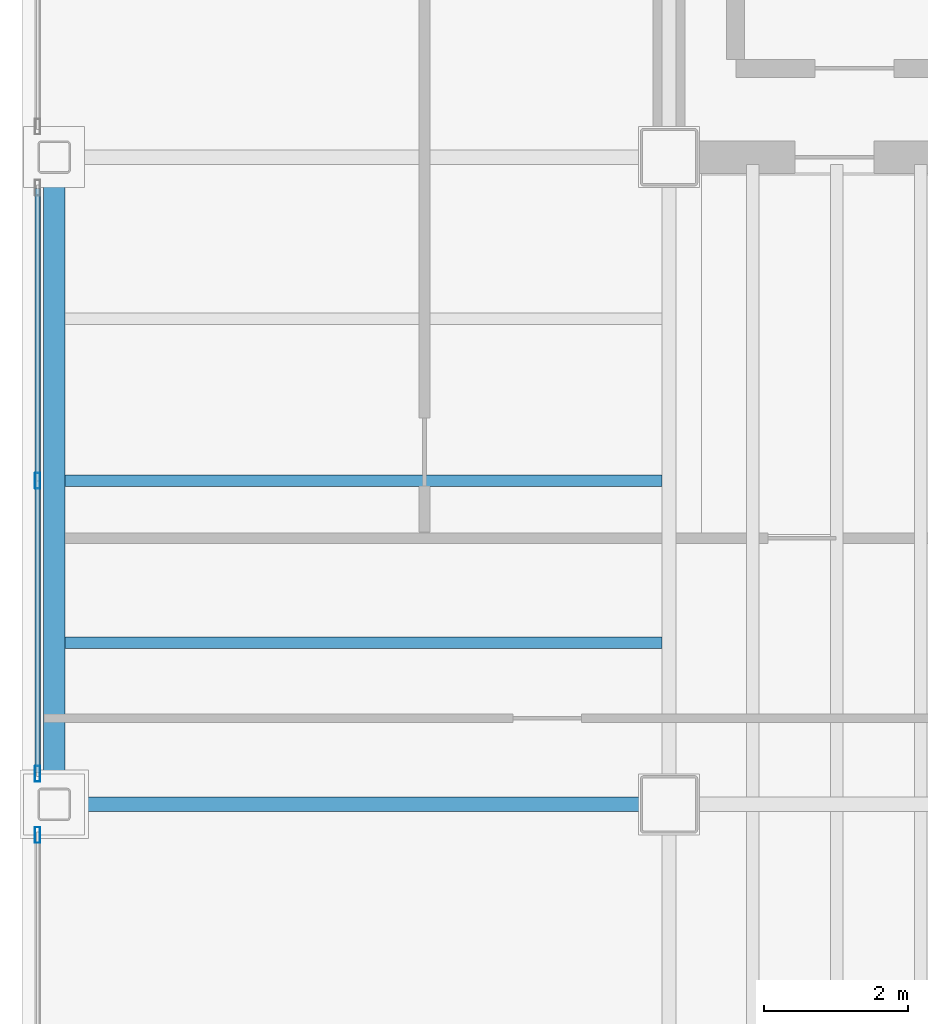
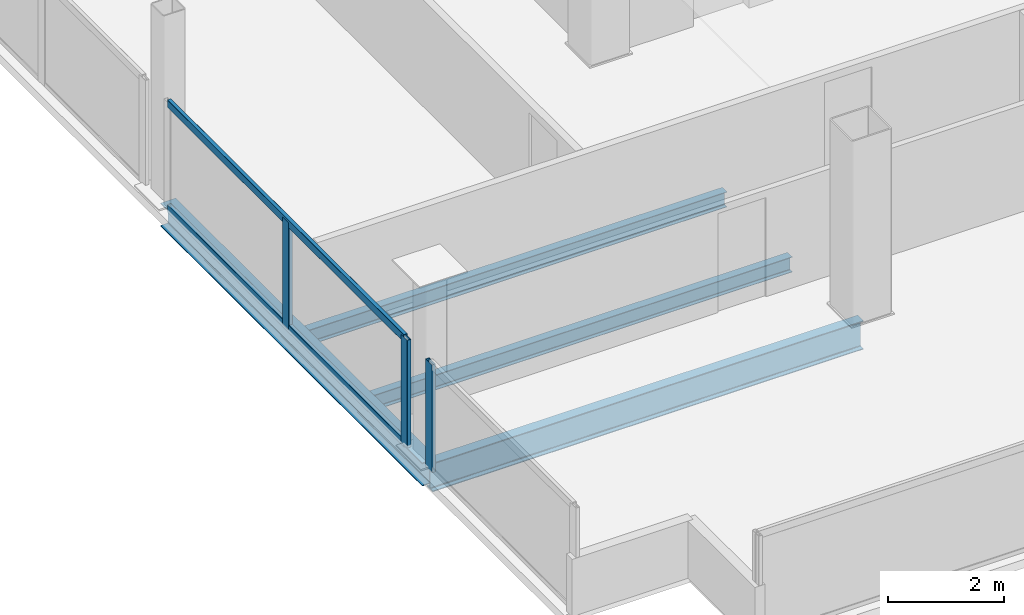
# One storey, part 4 of 16: 5 members, 4 beams, 2 elements without a shape of their own.
"""IFC4 building model written with IfcOpenShell, lengths in metres."""

from ifc_helpers import new_model, si_unit, direction, frame, origin, origin_2d, place, context, subcontext, project, spatial, hollow_rectangle, i_section, extrude, material, material_profile, profile_set, type_object, element, aggregate, save


model = new_model("IFC4")

# Units and contexts
model_context = context("Model", 3, precision=1e-05, world=origin(), true_north=direction((0.0, 1.0)))
body_context = subcontext(model_context, "Body", "Model", "MODEL_VIEW")
ifc_project = project(units=[si_unit("LENGTHUNIT", "METRE"), si_unit("AREAUNIT", "SQUARE_METRE"), si_unit("VOLUMEUNIT", "CUBIC_METRE"), si_unit("PLANEANGLEUNIT", "RADIAN"), si_unit("MASSUNIT", "GRAM", prefix="KILO")], contexts=[model_context])

# Site, building, storey
site_placement = place(None, origin())
site = spatial("IfcSite", under=ifc_project, at=site_placement, CompositionType="ELEMENT")
building_placement = place(site_placement, origin())
building = spatial("IfcBuilding", under=site, at=building_placement, Name="Noeulbin Bourse Tower", CompositionType="ELEMENT")
storey_placement = place(building_placement, frame((0.0, 0.0, 254.0)))
storey = spatial("IfcBuildingStorey", under=building, at=storey_placement, Name="L63", CompositionType="ELEMENT", Elevation=254.0)

# Beams
ifc_material_1 = material(Name="Steel S355", Category="steel")
ifc_material_profile_1 = material_profile(ifc_material_1, i_section(OverallWidth=0.199951171875, OverallDepth=0.60009765625, WebThickness=0.010986328125, FlangeThickness=0.01708984375, FilletRadius=0.02197265625, at=origin_2d()), Name="H-600x200x11x17", Category="LoadBearing")
ifc_profile_set_1 = profile_set([ifc_material_profile_1], Name="Steel S355")
beam_type_1 = type_object("IfcBeamType", Name="BM-GRD-600", PredefinedType="USERDEFINED", material=ifc_profile_set_1)
beam_1_placement = place(storey_placement, frame((4.949951171875, 20.0, -0.47998046875), z_axis=(1.0, 0.0, 0.0), x_axis=(0.0, 1.0, 0.0)))
element("IfcBeam", 1, at=beam_1_placement, inside=storey, type_object=beam_type_1, Name="Tower Primary Girder EW L63-1.1", ObjectType="GIRDER", PredefinedType="USERDEFINED", context=body_context, shape_type="SweptSolid", body=[
    extrude(i_section(OverallWidth=0.199951171875, OverallDepth=0.60009765625, WebThickness=0.010986328125, FlangeThickness=0.01708984375, FilletRadius=0.02197265625, at=origin_2d()), origin(), (0.0, 0.0, 1.0), 8.550048828125),
])
ifc_material_profile_2 = material_profile(ifc_material_1, i_section(OverallWidth=0.159912109375, OverallDepth=0.320068359375, WebThickness=0.006591796875, FlangeThickness=0.010009765625, FilletRadius=0.012939453125, at=origin_2d()), Name="H-320x160x6.5x10", Category="LoadBearing")
ifc_profile_set_2 = profile_set([ifc_material_profile_2], Name="Steel S355")
beam_type_2 = type_object("IfcBeamType", Name="BM-JST-320", PredefinedType="JOIST", material=ifc_profile_set_2)
for number, where, z_axis, x_axis, name in (
    (2, (5.10009765625, 22.25, -0.340087890625), (1.0, 0.0, 0.0), (0.0, 1.0, 0.0), "Wing Composite Joist L63-W37"),
    (3, (5.10009765625, 24.5, -0.340087890625), (1.0, 0.0, 0.0), (0.0, 1.0, 0.0), "Wing Composite Joist L63-W38"),
):
    element("IfcBeam", number, at=place(storey_placement, frame(where, z_axis=z_axis, x_axis=x_axis)), inside=storey, type_object=beam_type_2, Name=name, PredefinedType="JOIST", context=body_context, shape_type="SweptSolid", body=[
        extrude(i_section(OverallWidth=0.159912109375, OverallDepth=0.320068359375, WebThickness=0.006591796875, FlangeThickness=0.010009765625, FilletRadius=0.012939453125, at=origin_2d()), origin(), (0.0, 0.0, 1.0), 8.2998046875),
    ])
ifc_material_profile_3 = material_profile(ifc_material_1, i_section(OverallWidth=0.300048828125, OverallDepth=0.488037109375, WebThickness=0.010986328125, FlangeThickness=0.01806640625, FilletRadius=0.02197265625, at=origin_2d()), Name="H-488x300x11x18", Category="LoadBearing")
ifc_profile_set_3 = profile_set([ifc_material_profile_3], Name="Steel S355")
beam_type_3 = type_object("IfcBeamType", Name="BM-SPN-488", PredefinedType="SPANDREL", material=ifc_profile_set_3)
beam_2_placement = place(storey_placement, frame((4.949951171875, 20.0, -0.424072265625), z_axis=(0.0, 1.0, 0.0), x_axis=(-1.0, 0.0, 0.0)))
element("IfcBeam", 4, at=beam_2_placement, inside=storey, type_object=beam_type_3, Name="West Spandrel L63-1", PredefinedType="SPANDREL", context=body_context, shape_type="SweptSolid", body=[
    extrude(i_section(OverallWidth=0.300048828125, OverallDepth=0.488037109375, WebThickness=0.010986328125, FlangeThickness=0.01806640625, FilletRadius=0.02197265625, at=origin_2d()), origin(), (0.0, 0.0, 1.0), 9.0),
])

# Curtain wall, member
ifc_material_2 = material(Name="High-Selectivity Low-Iron Glazing", Category="glass")
curtain_wall_type = type_object("IfcCurtainWallType", Name="CW-SYS-4", PredefinedType="NOTDEFINED", material=ifc_material_2)
curtain_wall_1_placement = place(storey_placement, origin())
curtain_wall_1 = element("IfcCurtainWall", 5, at=curtain_wall_1_placement, inside=storey, type_object=curtain_wall_type, Name="Unitised Curtain Wall CW-L63-W-S1", PredefinedType="NOTDEFINED")
ifc_material_3 = material(Name="Anodised Aluminium 6063-T6", Category="aluminium")
ifc_material_profile_4 = material_profile(ifc_material_3, hollow_rectangle(XDim=0.074951171875, YDim=0.219970703125, WallThickness=0.0048828125, InnerFilletRadius=0.00244140625, OuterFilletRadius=0.0048828125, at=origin_2d()), Name="ALU-MULL-75x220x5", Category="LoadBearing")
ifc_profile_set_4 = profile_set([ifc_material_profile_4], Name="Anodised Aluminium 6063-T6")
member_type_1 = type_object("IfcMemberType", Name="CW-SYS-4-MUL", PredefinedType="MULLION", material=ifc_profile_set_4)
member_1_placement = place(storey_placement, frame((4.719970703125, 19.574951171875, -0.02001953125), z_axis=(0.0, 0.0, 1.0), x_axis=(1.0, 0.0, 0.0)))
member_1 = element("IfcMember", 6, at=member_1_placement, type_object=member_type_1, Name="Curtain Wall Mullion CW-L63-W-S1-M01", PredefinedType="MULLION", context=body_context, shape_type="SweptSolid", body=[
    extrude(hollow_rectangle(XDim=0.074951171875, YDim=0.219970703125, WallThickness=0.0048828125, InnerFilletRadius=0.00244140625, OuterFilletRadius=0.0048828125, at=origin_2d()), origin(), (0.0, 0.0, 1.0), 2.260009765625),
])
aggregate(curtain_wall_1, [member_1])

# Curtain wall, members
curtain_wall_2_placement = place(storey_placement, origin())
curtain_wall_2 = element("IfcCurtainWall", 7, at=curtain_wall_2_placement, inside=storey, type_object=curtain_wall_type, Name="Unitised Curtain Wall CW-L63-W-S2", PredefinedType="NOTDEFINED")
member_2_placement = place(storey_placement, frame((4.719970703125, 20.425048828125, -0.02001953125), z_axis=(0.0, 0.0, 1.0), x_axis=(1.0, 0.0, 0.0)))
member_2 = element("IfcMember", 8, at=member_2_placement, type_object=member_type_1, Name="Curtain Wall Mullion CW-L63-W-S2-M00", PredefinedType="MULLION", context=body_context, shape_type="SweptSolid", body=[
    extrude(hollow_rectangle(XDim=0.074951171875, YDim=0.219970703125, WallThickness=0.0048828125, InnerFilletRadius=0.00244140625, OuterFilletRadius=0.0048828125, at=origin_2d()), origin(), (0.0, 0.0, 1.0), 2.260009765625),
])
member_3_placement = place(storey_placement, frame((4.719970703125, 24.5, -0.02001953125), z_axis=(0.0, 0.0, 1.0), x_axis=(1.0, 0.0, 0.0)))
member_3 = element("IfcMember", 9, at=member_3_placement, type_object=member_type_1, Name="Curtain Wall Mullion CW-L63-W-S2-M01", PredefinedType="MULLION", context=body_context, shape_type="SweptSolid", body=[
    extrude(hollow_rectangle(XDim=0.074951171875, YDim=0.219970703125, WallThickness=0.0048828125, InnerFilletRadius=0.00244140625, OuterFilletRadius=0.0048828125, at=origin_2d()), origin(), (0.0, 0.0, 1.0), 2.260009765625),
])
ifc_material_profile_5 = material_profile(ifc_material_3, hollow_rectangle(XDim=0.074951171875, YDim=0.159912109375, WallThickness=0.0048828125, InnerFilletRadius=0.00244140625, OuterFilletRadius=0.0048828125, at=origin_2d()), Name="ALU-TRAN-75x160x5", Category="LoadBearing")
ifc_profile_set_5 = profile_set([ifc_material_profile_5], Name="Anodised Aluminium 6063-T6")
member_type_2 = type_object("IfcMemberType", Name="CW-SYS-4-TRN", PredefinedType="USERDEFINED", material=ifc_profile_set_5)
member_4_placement = place(storey_placement, frame((4.719970703125, 20.43505859375, 0.010009765625), z_axis=(0.0, 1.0, 0.0), x_axis=(-1.0, 0.0, 0.0)))
member_4 = element("IfcMember", 10, at=member_4_placement, type_object=member_type_2, Name="Curtain Wall Transom CW-L63-W-S2-T00", ObjectType="TRANSOM", PredefinedType="USERDEFINED", context=body_context, shape_type="SweptSolid", body=[
    extrude(hollow_rectangle(XDim=0.074951171875, YDim=0.159912109375, WallThickness=0.0048828125, InnerFilletRadius=0.00244140625, OuterFilletRadius=0.0048828125, at=origin_2d()), origin(), (0.0, 0.0, 1.0), 8.1298828125),
])
member_5_placement = place(storey_placement, frame((4.719970703125, 20.43505859375, 2.2099609375), z_axis=(0.0, 1.0, 0.0), x_axis=(-1.0, 0.0, 0.0)))
member_5 = element("IfcMember", 11, at=member_5_placement, type_object=member_type_2, Name="Curtain Wall Transom CW-L63-W-S2-T01", ObjectType="TRANSOM", PredefinedType="USERDEFINED", context=body_context, shape_type="SweptSolid", body=[
    extrude(hollow_rectangle(XDim=0.074951171875, YDim=0.159912109375, WallThickness=0.0048828125, InnerFilletRadius=0.00244140625, OuterFilletRadius=0.0048828125, at=origin_2d()), origin(), (0.0, 0.0, 1.0), 8.1298828125),
])
aggregate(curtain_wall_2, [member_2, member_3, member_4, member_5])

save(model, "model.ifc")
